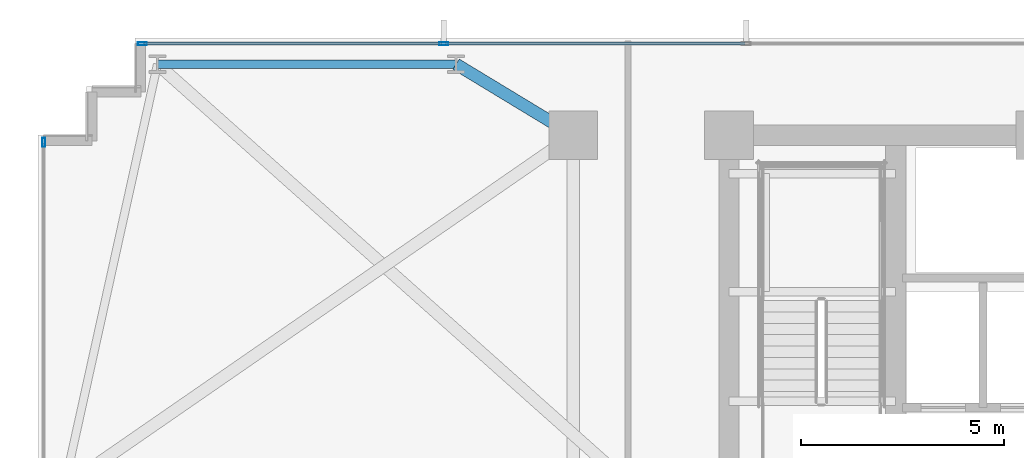
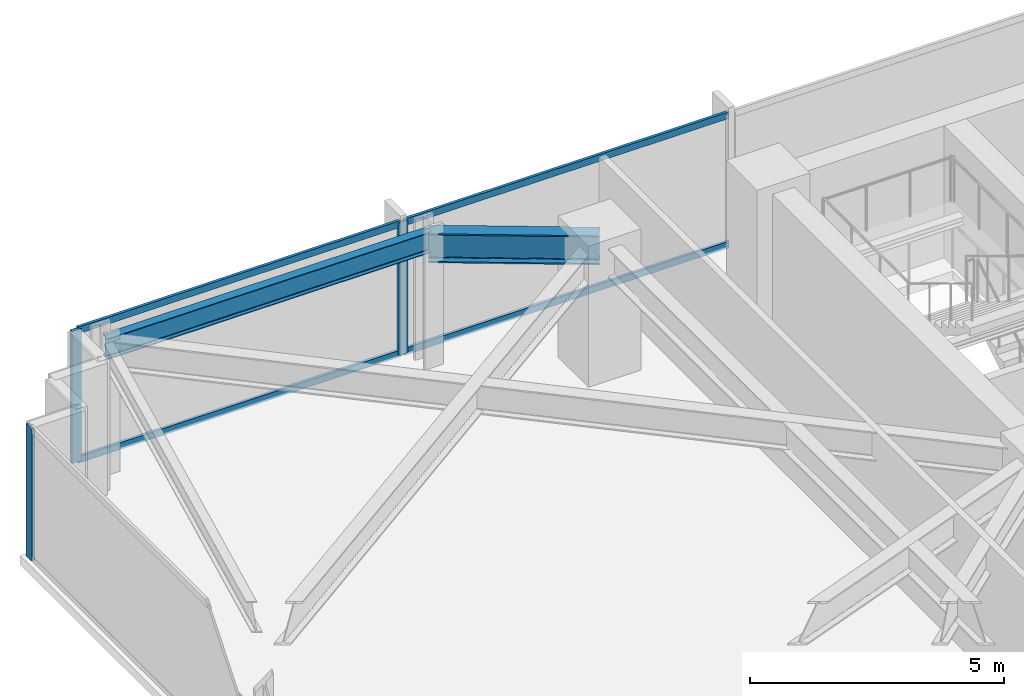
# One storey, part 17 of 32: 7 members, 2 beams, 2 elements without a shape of their own.
"""IFC4 building model written with IfcOpenShell, lengths in metres."""

from ifc_helpers import new_model, si_unit, direction, frame, origin, origin_2d, place, context, subcontext, project, spatial, hollow_rectangle, i_section, extrude, material, material_profile, profile_set, type_object, element, aggregate, save


model = new_model("IFC4")

# Units and contexts
model_context = context("Model", 3, precision=1e-05, world=origin(), true_north=direction((0.0, 1.0)))
body_context = subcontext(model_context, "Body", "Model", "MODEL_VIEW")
ifc_project = project(units=[si_unit("LENGTHUNIT", "METRE"), si_unit("AREAUNIT", "SQUARE_METRE"), si_unit("VOLUMEUNIT", "CUBIC_METRE"), si_unit("PLANEANGLEUNIT", "RADIAN"), si_unit("MASSUNIT", "GRAM", prefix="KILO")], contexts=[model_context])

# Site, building, storey
site_placement = place(None, origin())
site = spatial("IfcSite", under=ifc_project, at=site_placement, CompositionType="ELEMENT")
building_placement = place(site_placement, origin())
building = spatial("IfcBuilding", under=site, at=building_placement, Name="Yelkora Congress Tower", CompositionType="ELEMENT")
storey_placement = place(building_placement, frame((0.0, 0.0, 33.800048828125)))
storey = spatial("IfcBuildingStorey", under=building, at=storey_placement, Name="L07", CompositionType="ELEMENT", Elevation=33.800048828125)

# Beams
ifc_material_1 = material(Name="Steel S355J2", Category="steel")
ifc_material_profile_1 = material_profile(ifc_material_1, i_section(OverallWidth=0.300048828125, OverallDepth=0.699951171875, WebThickness=0.01708984375, FlangeThickness=0.031982421875, FilletRadius=0.027099609375, at=origin_2d()), Name="HEB 700")
ifc_profile_set_1 = profile_set([ifc_material_profile_1], Name="Steel S355J2")
beam_type_1 = type_object("IfcBeamType", Name="BM-GIRD-HEB700", PredefinedType="BEAM", material=ifc_profile_set_1)
beam_1_placement = place(storey_placement, frame((16.3125, 47.949951171875, 2.829833984375), z_axis=(0.855193946581, -0.518308126244, 0.0), x_axis=(0.518308126244, 0.855193946581, 0.0)))
element("IfcBeam", 1, at=beam_1_placement, inside=storey, type_object=beam_type_1, Name="L07 Primary Frame Girder N02", PredefinedType="BEAM", context=body_context, shape_type="SweptSolid", body=[
    extrude(i_section(OverallWidth=0.300048828125, OverallDepth=0.699951171875, WebThickness=0.01708984375, FlangeThickness=0.031982421875, FilletRadius=0.027099609375, at=origin_2d()), origin(), (0.0, 0.0, 1.0), 3.37646484375),
])
ifc_material_profile_2 = material_profile(ifc_material_1, i_section(OverallWidth=0.199951171875, OverallDepth=0.5, WebThickness=0.01025390625, FlangeThickness=0.01611328125, FilletRadius=0.02099609375, at=origin_2d()), Name="IPE 500")
ifc_profile_set_2 = profile_set([ifc_material_profile_2], Name="Steel S355J2")
beam_type_2 = type_object("IfcBeamType", Name="BM-SPAN-IPE500", PredefinedType="SPANDREL", material=ifc_profile_set_2)
beam_2_placement = place(storey_placement, frame((16.3125, 47.949951171875, 2.929931640625), z_axis=(-1.0, 0.0, 0.0), x_axis=(0.0, -1.0, 0.0)))
element("IfcBeam", 2, at=beam_2_placement, inside=storey, type_object=beam_type_2, Name="L07 Perimeter Beam 16", PredefinedType="SPANDREL", context=body_context, shape_type="SweptSolid", body=[
    extrude(i_section(OverallWidth=0.199951171875, OverallDepth=0.5, WebThickness=0.01025390625, FlangeThickness=0.01611328125, FilletRadius=0.02099609375, at=origin_2d()), origin(), (0.0, 0.0, 1.0), 7.362548828125),
])

# Curtain wall, member
ifc_material_2 = material(Name="Anodised aluminium and insulated glass", Category="aluminium")
curtain_wall_type = type_object("IfcCurtainWallType", Name="CW-SYS-B1", PredefinedType="NOTDEFINED", material=ifc_material_2)
curtain_wall_1_placement = place(storey_placement, origin())
curtain_wall_1 = element("IfcCurtainWall", 3, at=curtain_wall_1_placement, inside=storey, type_object=curtain_wall_type, Name="L07 Unitised Curtain Wall 5", PredefinedType="NOTDEFINED")
ifc_material_3 = material(Name="Anodised aluminium 6063-T6", Category="aluminium")
ifc_material_profile_3 = material_profile(ifc_material_3, hollow_rectangle(XDim=0.074951171875, YDim=0.219970703125, WallThickness=0.0048828125, at=origin_2d()), Name="ALU 75x220x5")
ifc_profile_set_3 = profile_set([ifc_material_profile_3], Name="Anodised aluminium 6063-T6")
member_type_1 = type_object("IfcMemberType", Name="MEM-ML-B1", PredefinedType="MULLION", material=ifc_profile_set_3)
member_1_placement = place(storey_placement, frame((6.139892578125, 46.0224609375, 0.0), z_axis=(0.0, 0.0, 1.0), x_axis=(-1.0, 0.0, 0.0)))
member_1 = element("IfcMember", 4, at=member_1_placement, type_object=member_type_1, Name="CW-B1 mullion 5", PredefinedType="MULLION", context=body_context, shape_type="SweptSolid", body=[
    extrude(hollow_rectangle(XDim=0.074951171875, YDim=0.219970703125, WallThickness=0.0048828125, at=origin_2d()), origin(), (0.0, 0.0, 1.0), 3.179931640625),
])
aggregate(curtain_wall_1, [member_1])

# Curtain wall, members
curtain_wall_2_placement = place(storey_placement, origin())
curtain_wall_2 = element("IfcCurtainWall", 5, at=curtain_wall_2_placement, inside=storey, type_object=curtain_wall_type, Name="L07 Unitised Curtain Wall 10", PredefinedType="NOTDEFINED")
member_2_placement = place(storey_placement, frame((8.577392578125, 48.4599609375, 0.0), z_axis=(0.0, 0.0, 1.0), x_axis=(0.0, 1.0, 0.0)))
member_2 = element("IfcMember", 6, at=member_2_placement, type_object=member_type_1, Name="CW-B1 mullion 1", PredefinedType="MULLION", context=body_context, shape_type="SweptSolid", body=[
    extrude(hollow_rectangle(XDim=0.074951171875, YDim=0.219970703125, WallThickness=0.0048828125, at=origin_2d()), origin(), (0.0, 0.0, 1.0), 3.179931640625),
])
member_3_placement = place(storey_placement, frame((16.0048828125, 48.4599609375, 0.0), z_axis=(0.0, 0.0, 1.0), x_axis=(0.0, 1.0, 0.0)))
member_3 = element("IfcMember", 7, at=member_3_placement, type_object=member_type_1, Name="CW-B1 mullion 2", PredefinedType="MULLION", context=body_context, shape_type="SweptSolid", body=[
    extrude(hollow_rectangle(XDim=0.074951171875, YDim=0.219970703125, WallThickness=0.0048828125, at=origin_2d()), origin(), (0.0, 0.0, 1.0), 3.179931640625),
])
ifc_material_profile_4 = material_profile(ifc_material_3, hollow_rectangle(XDim=0.06494140625, YDim=0.159912109375, WallThickness=0.00390625, at=origin_2d()), Name="ALU 65x160x4")
ifc_profile_set_4 = profile_set([ifc_material_profile_4], Name="Anodised aluminium 6063-T6")
member_type_2 = type_object("IfcMemberType", Name="MEM-TR-B1", PredefinedType="USERDEFINED", material=ifc_profile_set_4)
member_4_placement = place(storey_placement, frame((8.614990234375, 48.4599609375, 0.032470703125), z_axis=(1.0, 0.0, 0.0), x_axis=(0.0, 1.0, 0.0)))
member_4 = element("IfcMember", 8, at=member_4_placement, type_object=member_type_2, Name="CW-B1 transom 1.1", ObjectType="TRANSOM", PredefinedType="USERDEFINED", context=body_context, shape_type="SweptSolid", body=[
    extrude(hollow_rectangle(XDim=0.06494140625, YDim=0.159912109375, WallThickness=0.00390625, at=origin_2d()), origin(), (0.0, 0.0, 1.0), 7.3525390625),
])
member_5_placement = place(storey_placement, frame((8.614990234375, 48.4599609375, 3.1474609375), z_axis=(1.0, 0.0, 0.0), x_axis=(0.0, 1.0, 0.0)))
member_5 = element("IfcMember", 9, at=member_5_placement, type_object=member_type_2, Name="CW-B1 transom 1.2", ObjectType="TRANSOM", PredefinedType="USERDEFINED", context=body_context, shape_type="SweptSolid", body=[
    extrude(hollow_rectangle(XDim=0.06494140625, YDim=0.159912109375, WallThickness=0.00390625, at=origin_2d()), origin(), (0.0, 0.0, 1.0), 7.3525390625),
])
member_6_placement = place(storey_placement, frame((16.04248046875, 48.4599609375, 0.032470703125), z_axis=(1.0, 0.0, 0.0), x_axis=(0.0, 1.0, 0.0)))
member_6 = element("IfcMember", 10, at=member_6_placement, type_object=member_type_2, Name="CW-B1 transom 2.1", ObjectType="TRANSOM", PredefinedType="USERDEFINED", context=body_context, shape_type="SweptSolid", body=[
    extrude(hollow_rectangle(XDim=0.06494140625, YDim=0.159912109375, WallThickness=0.00390625, at=origin_2d()), origin(), (0.0, 0.0, 1.0), 7.39013671875),
])
member_7_placement = place(storey_placement, frame((16.04248046875, 48.4599609375, 3.1474609375), z_axis=(1.0, 0.0, 0.0), x_axis=(0.0, 1.0, 0.0)))
member_7 = element("IfcMember", 11, at=member_7_placement, type_object=member_type_2, Name="CW-B1 transom 2.2", ObjectType="TRANSOM", PredefinedType="USERDEFINED", context=body_context, shape_type="SweptSolid", body=[
    extrude(hollow_rectangle(XDim=0.06494140625, YDim=0.159912109375, WallThickness=0.00390625, at=origin_2d()), origin(), (0.0, 0.0, 1.0), 7.39013671875),
])
aggregate(curtain_wall_2, [member_2, member_3, member_4, member_5, member_6, member_7])

save(model, "model.ifc")
